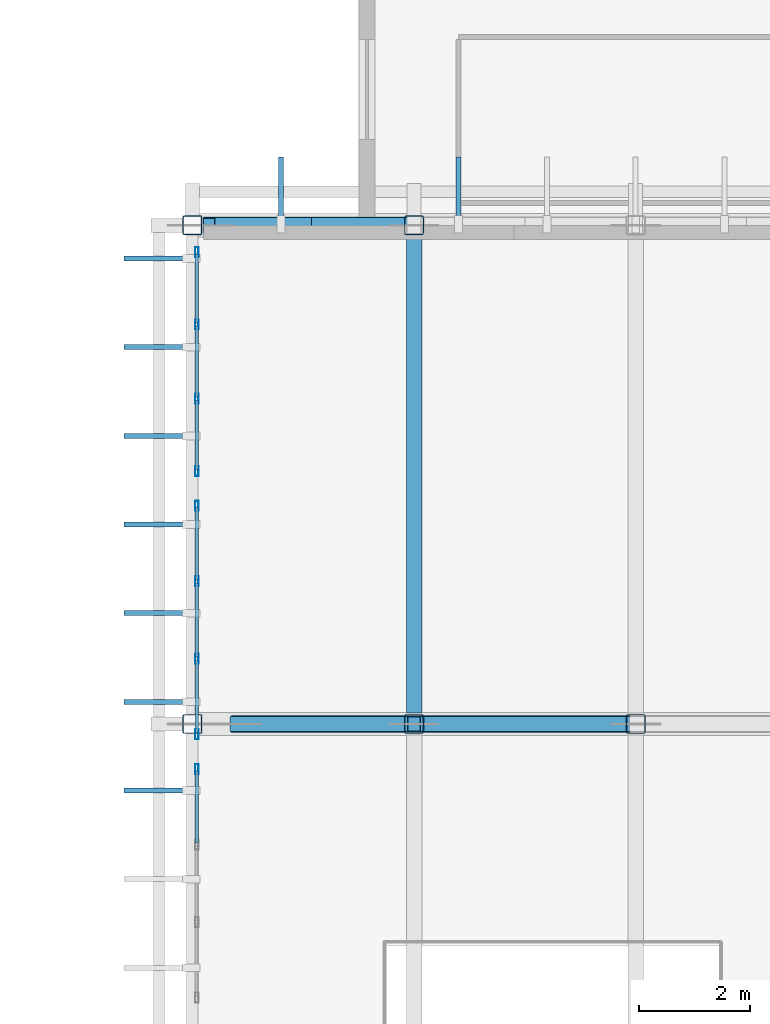
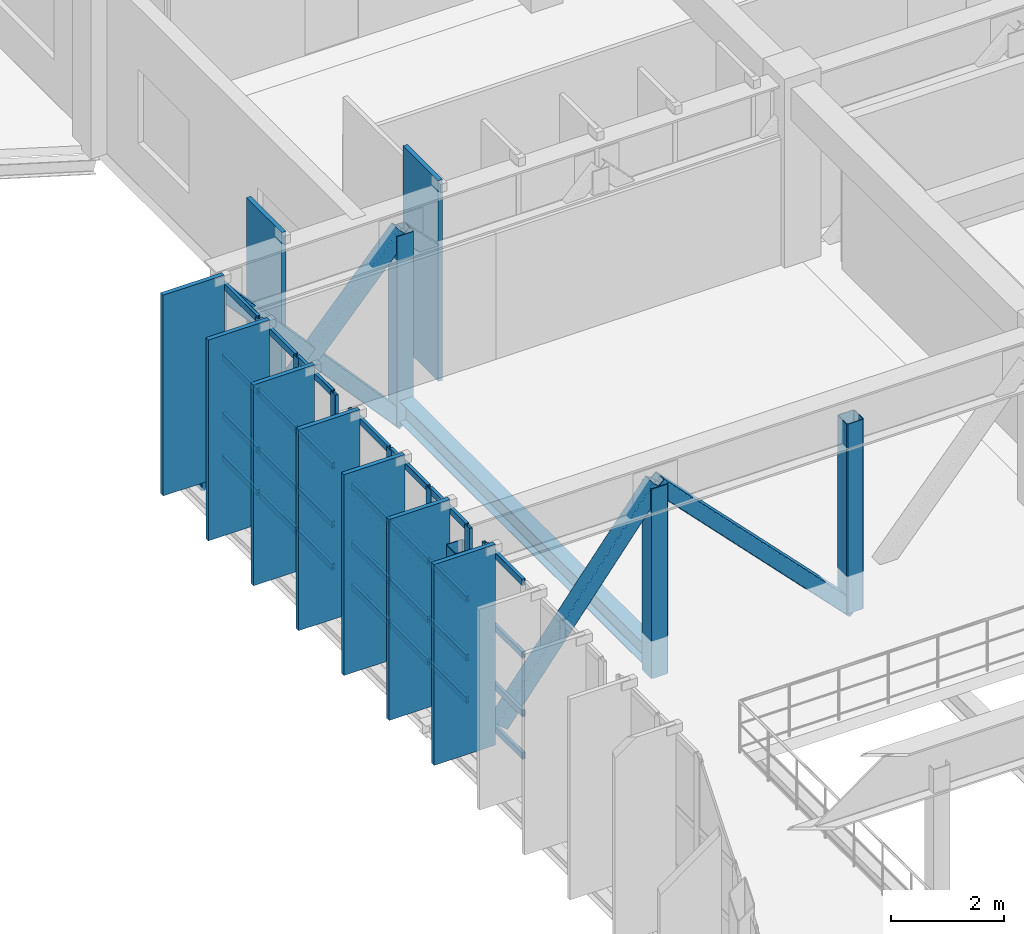
# One storey, part 47 of 130: 55 members, 1 beam, 3 elements without a shape of their own.
"""IFC4 building model written with IfcOpenShell, lengths in metres."""

from ifc_helpers import new_model, si_unit, direction, frame, origin, origin_2d, place, context, subcontext, project, spatial, rectangle, hollow_rectangle, i_section, extrude, material, material_profile, profile_set, type_object, element, aggregate, save


model = new_model("IFC4")

# Units and contexts
model_context = context("Model", 3, precision=1e-05, world=origin(), true_north=direction((0.0, 1.0)))
body_context = subcontext(model_context, "Body", "Model", "MODEL_VIEW")
ifc_project = project(units=[si_unit("LENGTHUNIT", "METRE"), si_unit("AREAUNIT", "SQUARE_METRE"), si_unit("VOLUMEUNIT", "CUBIC_METRE"), si_unit("PLANEANGLEUNIT", "RADIAN"), si_unit("MASSUNIT", "GRAM", prefix="KILO")], contexts=[model_context])

# Site, building, storey
site_placement = place(None, origin())
site = spatial("IfcSite", under=ifc_project, at=site_placement, CompositionType="ELEMENT")
building_placement = place(site_placement, origin())
building = spatial("IfcBuilding", under=site, at=building_placement, Name="Miravela Opera House", CompositionType="ELEMENT")
storey_placement = place(building_placement, frame((0.0, 0.0, 9.52001953125)))
storey = spatial("IfcBuildingStorey", under=building, at=storey_placement, Name="L02", CompositionType="ELEMENT", Elevation=9.52001953125)

# Curtain wall, member
ifc_material_1 = material(Name="Anodised architectural bronze aluminium 6063-T6", Category="aluminium")
curtain_wall_type = type_object("IfcCurtainWallType", Name="ARC-CW-02", PredefinedType="NOTDEFINED", material=ifc_material_1)
curtain_wall_1_placement = place(storey_placement, origin())
curtain_wall_1 = element("IfcCurtainWall", 1, at=curtain_wall_1_placement, inside=storey, type_object=curtain_wall_type, Name="Cantilever West Wrapper Glazing B6 CW-L02-012", PredefinedType="NOTDEFINED")
ifc_material_profile_1 = material_profile(ifc_material_1, hollow_rectangle(XDim=0.06494140625, YDim=0.179931640625, WallThickness=0.00390625, InnerFilletRadius=0.001953125, OuterFilletRadius=0.00390625, at=origin_2d()), Name="CWM-65X180")
ifc_profile_set_1 = profile_set([ifc_material_profile_1])
member_type_1 = type_object("IfcMemberType", Name="ARC-CWM-180", PredefinedType="MULLION", material=ifc_profile_set_1)
member_1_placement = place(storey_placement, frame((15.080078125, 65.1875, 0.0), z_axis=(0.0, 0.0, 1.0), x_axis=(-1.0, 0.0, 0.0)))
member_1 = element("IfcMember", 2, at=member_1_placement, type_object=member_type_1, Name="CW-02 mullion 4", PredefinedType="MULLION", context=body_context, shape_type="SweptSolid", body=[
    extrude(hollow_rectangle(XDim=0.06494140625, YDim=0.179931640625, WallThickness=0.00390625, InnerFilletRadius=0.001953125, OuterFilletRadius=0.00390625, at=origin_2d()), origin(), (0.0, 0.0, 1.0), 3.820068359375),
])

# Curtain wall, members
curtain_wall_2_placement = place(storey_placement, origin())
curtain_wall_2 = element("IfcCurtainWall", 3, at=curtain_wall_2_placement, inside=storey, type_object=curtain_wall_type, Name="Cantilever West Wrapper Glazing B7 CW-L02-013", PredefinedType="NOTDEFINED")
member_2_placement = place(storey_placement, frame((15.080078125, 65.8125, 0.0), z_axis=(0.0, 0.0, 1.0), x_axis=(-1.0, 0.0, 0.0)))
member_2 = element("IfcMember", 4, at=member_2_placement, type_object=member_type_1, Name="CW-02 mullion 1", PredefinedType="MULLION", context=body_context, shape_type="SweptSolid", body=[
    extrude(hollow_rectangle(XDim=0.06494140625, YDim=0.179931640625, WallThickness=0.00390625, InnerFilletRadius=0.001953125, OuterFilletRadius=0.00390625, at=origin_2d()), origin(), (0.0, 0.0, 1.0), 3.820068359375),
])
member_3_placement = place(storey_placement, frame((15.080078125, 67.1767578125, 0.0), z_axis=(0.0, 0.0, 1.0), x_axis=(-1.0, 0.0, 0.0)))
member_3 = element("IfcMember", 5, at=member_3_placement, type_object=member_type_1, Name="CW-02 mullion 2", PredefinedType="MULLION", context=body_context, shape_type="SweptSolid", body=[
    extrude(hollow_rectangle(XDim=0.06494140625, YDim=0.179931640625, WallThickness=0.00390625, InnerFilletRadius=0.001953125, OuterFilletRadius=0.00390625, at=origin_2d()), origin(), (0.0, 0.0, 1.0), 3.820068359375),
])
member_4_placement = place(storey_placement, frame((15.080078125, 68.5732421875, 0.0), z_axis=(0.0, 0.0, 1.0), x_axis=(-1.0, 0.0, 0.0)))
member_4 = element("IfcMember", 6, at=member_4_placement, type_object=member_type_1, Name="CW-02 mullion 3", PredefinedType="MULLION", context=body_context, shape_type="SweptSolid", body=[
    extrude(hollow_rectangle(XDim=0.06494140625, YDim=0.179931640625, WallThickness=0.00390625, InnerFilletRadius=0.001953125, OuterFilletRadius=0.00390625, at=origin_2d()), origin(), (0.0, 0.0, 1.0), 3.820068359375),
])
member_5_placement = place(storey_placement, frame((15.080078125, 69.9375, 0.0), z_axis=(0.0, 0.0, 1.0), x_axis=(-1.0, 0.0, 0.0)))
member_5 = element("IfcMember", 7, at=member_5_placement, type_object=member_type_1, Name="CW-02 mullion 4", PredefinedType="MULLION", context=body_context, shape_type="SweptSolid", body=[
    extrude(hollow_rectangle(XDim=0.06494140625, YDim=0.179931640625, WallThickness=0.00390625, InnerFilletRadius=0.001953125, OuterFilletRadius=0.00390625, at=origin_2d()), origin(), (0.0, 0.0, 1.0), 3.820068359375),
])

curtain_wall_3_placement = place(storey_placement, origin())
curtain_wall_3 = element("IfcCurtainWall", 8, at=curtain_wall_3_placement, inside=storey, type_object=curtain_wall_type, Name="Cantilever West Wrapper Glazing B8 CW-L02-014", PredefinedType="NOTDEFINED")
member_6_placement = place(storey_placement, frame((15.080078125, 70.5625, 0.0), z_axis=(0.0, 0.0, 1.0), x_axis=(-1.0, 0.0, 0.0)))
member_6 = element("IfcMember", 9, at=member_6_placement, type_object=member_type_1, Name="CW-02 mullion 1", PredefinedType="MULLION", context=body_context, shape_type="SweptSolid", body=[
    extrude(hollow_rectangle(XDim=0.06494140625, YDim=0.179931640625, WallThickness=0.00390625, InnerFilletRadius=0.001953125, OuterFilletRadius=0.00390625, at=origin_2d()), origin(), (0.0, 0.0, 1.0), 3.820068359375),
])
member_7_placement = place(storey_placement, frame((15.080078125, 71.8701171875, 0.0), z_axis=(0.0, 0.0, 1.0), x_axis=(-1.0, 0.0, 0.0)))
member_7 = element("IfcMember", 10, at=member_7_placement, type_object=member_type_1, Name="CW-02 mullion 2", PredefinedType="MULLION", context=body_context, shape_type="SweptSolid", body=[
    extrude(hollow_rectangle(XDim=0.06494140625, YDim=0.179931640625, WallThickness=0.00390625, InnerFilletRadius=0.001953125, OuterFilletRadius=0.00390625, at=origin_2d()), origin(), (0.0, 0.0, 1.0), 3.820068359375),
])
member_8_placement = place(storey_placement, frame((15.080078125, 73.2099609375, 0.0), z_axis=(0.0, 0.0, 1.0), x_axis=(-1.0, 0.0, 0.0)))
member_8 = element("IfcMember", 11, at=member_8_placement, type_object=member_type_1, Name="CW-02 mullion 3", PredefinedType="MULLION", context=body_context, shape_type="SweptSolid", body=[
    extrude(hollow_rectangle(XDim=0.06494140625, YDim=0.179931640625, WallThickness=0.00390625, InnerFilletRadius=0.001953125, OuterFilletRadius=0.00390625, at=origin_2d()), origin(), (0.0, 0.0, 1.0), 3.820068359375),
])
member_9_placement = place(storey_placement, frame((15.080078125, 74.517578125, 0.0), z_axis=(0.0, 0.0, 1.0), x_axis=(-1.0, 0.0, 0.0)))
member_9 = element("IfcMember", 12, at=member_9_placement, type_object=member_type_1, Name="CW-02 mullion 4", PredefinedType="MULLION", context=body_context, shape_type="SweptSolid", body=[
    extrude(hollow_rectangle(XDim=0.06494140625, YDim=0.179931640625, WallThickness=0.00390625, InnerFilletRadius=0.001953125, OuterFilletRadius=0.00390625, at=origin_2d()), origin(), (0.0, 0.0, 1.0), 3.820068359375),
])

# Member
ifc_material_profile_2 = material_profile(ifc_material_1, hollow_rectangle(XDim=0.06494140625, YDim=0.139892578125, WallThickness=0.00390625, InnerFilletRadius=0.001953125, OuterFilletRadius=0.00390625, at=origin_2d()), Name="CWT-65X140")
ifc_profile_set_2 = profile_set([ifc_material_profile_2])
member_type_2 = type_object("IfcMemberType", Name="ARC-CWT-140", PredefinedType="USERDEFINED", material=ifc_profile_set_2)
member_10_placement = place(storey_placement, frame((15.080078125, 63.855712890625, 0.032470703125), z_axis=(0.0, 1.0, 0.0), x_axis=(-1.0, 0.0, 0.0)))
member_10 = element("IfcMember", 13, at=member_10_placement, type_object=member_type_2, Name="CW-02 transom 3.1", ObjectType="TRANSOM", PredefinedType="USERDEFINED", context=body_context, shape_type="SweptSolid", body=[
    extrude(hollow_rectangle(XDim=0.06494140625, YDim=0.139892578125, WallThickness=0.00390625, InnerFilletRadius=0.001953125, OuterFilletRadius=0.00390625, at=origin_2d()), origin(), (0.0, 0.0, 1.0), 1.29931640625),
])

member_11_placement = place(storey_placement, frame((15.080078125, 63.855712890625, 0.949951171875), z_axis=(0.0, 1.0, 0.0), x_axis=(-1.0, 0.0, 0.0)))
member_11 = element("IfcMember", 14, at=member_11_placement, type_object=member_type_2, Name="CW-02 transom 3.2", ObjectType="TRANSOM", PredefinedType="USERDEFINED", context=body_context, shape_type="SweptSolid", body=[
    extrude(hollow_rectangle(XDim=0.06494140625, YDim=0.139892578125, WallThickness=0.00390625, InnerFilletRadius=0.001953125, OuterFilletRadius=0.00390625, at=origin_2d()), origin(), (0.0, 0.0, 1.0), 1.29931640625),
])

member_12_placement = place(storey_placement, frame((15.080078125, 63.855712890625, 2.215576171875), z_axis=(0.0, 1.0, 0.0), x_axis=(-1.0, 0.0, 0.0)))
member_12 = element("IfcMember", 15, at=member_12_placement, type_object=member_type_2, Name="CW-02 transom 3.3", ObjectType="TRANSOM", PredefinedType="USERDEFINED", context=body_context, shape_type="SweptSolid", body=[
    extrude(hollow_rectangle(XDim=0.06494140625, YDim=0.139892578125, WallThickness=0.00390625, InnerFilletRadius=0.001953125, OuterFilletRadius=0.00390625, at=origin_2d()), origin(), (0.0, 0.0, 1.0), 1.29931640625),
])

member_13_placement = place(storey_placement, frame((15.080078125, 63.855712890625, 3.78759765625), z_axis=(0.0, 1.0, 0.0), x_axis=(-1.0, 0.0, 0.0)))
member_13 = element("IfcMember", 16, at=member_13_placement, type_object=member_type_2, Name="CW-02 transom 3.4", ObjectType="TRANSOM", PredefinedType="USERDEFINED", context=body_context, shape_type="SweptSolid", body=[
    extrude(hollow_rectangle(XDim=0.06494140625, YDim=0.139892578125, WallThickness=0.00390625, InnerFilletRadius=0.001953125, OuterFilletRadius=0.00390625, at=origin_2d()), origin(), (0.0, 0.0, 1.0), 1.29931640625),
])

aggregate(curtain_wall_1, [member_1, member_10, member_11, member_12, member_13])

member_14_placement = place(storey_placement, frame((15.080078125, 65.844970703125, 0.032470703125), z_axis=(0.0, 1.0, 0.0), x_axis=(-1.0, 0.0, 0.0)))
member_14 = element("IfcMember", 17, at=member_14_placement, type_object=member_type_2, Name="CW-02 transom 1.1", ObjectType="TRANSOM", PredefinedType="USERDEFINED", context=body_context, shape_type="SweptSolid", body=[
    extrude(hollow_rectangle(XDim=0.06494140625, YDim=0.139892578125, WallThickness=0.00390625, InnerFilletRadius=0.001953125, OuterFilletRadius=0.00390625, at=origin_2d()), origin(), (0.0, 0.0, 1.0), 1.29931640625),
])

member_15_placement = place(storey_placement, frame((15.080078125, 65.844970703125, 0.949951171875), z_axis=(0.0, 1.0, 0.0), x_axis=(-1.0, 0.0, 0.0)))
member_15 = element("IfcMember", 18, at=member_15_placement, type_object=member_type_2, Name="CW-02 transom 1.2", ObjectType="TRANSOM", PredefinedType="USERDEFINED", context=body_context, shape_type="SweptSolid", body=[
    extrude(hollow_rectangle(XDim=0.06494140625, YDim=0.139892578125, WallThickness=0.00390625, InnerFilletRadius=0.001953125, OuterFilletRadius=0.00390625, at=origin_2d()), origin(), (0.0, 0.0, 1.0), 1.29931640625),
])

member_16_placement = place(storey_placement, frame((15.080078125, 65.844970703125, 2.215576171875), z_axis=(0.0, 1.0, 0.0), x_axis=(-1.0, 0.0, 0.0)))
member_16 = element("IfcMember", 19, at=member_16_placement, type_object=member_type_2, Name="CW-02 transom 1.3", ObjectType="TRANSOM", PredefinedType="USERDEFINED", context=body_context, shape_type="SweptSolid", body=[
    extrude(hollow_rectangle(XDim=0.06494140625, YDim=0.139892578125, WallThickness=0.00390625, InnerFilletRadius=0.001953125, OuterFilletRadius=0.00390625, at=origin_2d()), origin(), (0.0, 0.0, 1.0), 1.29931640625),
])

member_17_placement = place(storey_placement, frame((15.080078125, 65.844970703125, 3.78759765625), z_axis=(0.0, 1.0, 0.0), x_axis=(-1.0, 0.0, 0.0)))
member_17 = element("IfcMember", 20, at=member_17_placement, type_object=member_type_2, Name="CW-02 transom 1.4", ObjectType="TRANSOM", PredefinedType="USERDEFINED", context=body_context, shape_type="SweptSolid", body=[
    extrude(hollow_rectangle(XDim=0.06494140625, YDim=0.139892578125, WallThickness=0.00390625, InnerFilletRadius=0.001953125, OuterFilletRadius=0.00390625, at=origin_2d()), origin(), (0.0, 0.0, 1.0), 1.29931640625),
])

member_18_placement = place(storey_placement, frame((15.080078125, 67.209228515625, 0.032470703125), z_axis=(0.0, 1.0, 0.0), x_axis=(-1.0, 0.0, 0.0)))
member_18 = element("IfcMember", 21, at=member_18_placement, type_object=member_type_2, Name="CW-02 transom 2.1", ObjectType="TRANSOM", PredefinedType="USERDEFINED", context=body_context, shape_type="SweptSolid", body=[
    extrude(hollow_rectangle(XDim=0.06494140625, YDim=0.139892578125, WallThickness=0.00390625, InnerFilletRadius=0.001953125, OuterFilletRadius=0.00390625, at=origin_2d()), origin(), (0.0, 0.0, 1.0), 1.33154296875),
])

member_19_placement = place(storey_placement, frame((15.080078125, 67.209228515625, 0.949951171875), z_axis=(0.0, 1.0, 0.0), x_axis=(-1.0, 0.0, 0.0)))
member_19 = element("IfcMember", 22, at=member_19_placement, type_object=member_type_2, Name="CW-02 transom 2.2", ObjectType="TRANSOM", PredefinedType="USERDEFINED", context=body_context, shape_type="SweptSolid", body=[
    extrude(hollow_rectangle(XDim=0.06494140625, YDim=0.139892578125, WallThickness=0.00390625, InnerFilletRadius=0.001953125, OuterFilletRadius=0.00390625, at=origin_2d()), origin(), (0.0, 0.0, 1.0), 1.33154296875),
])

member_20_placement = place(storey_placement, frame((15.080078125, 67.209228515625, 2.215576171875), z_axis=(0.0, 1.0, 0.0), x_axis=(-1.0, 0.0, 0.0)))
member_20 = element("IfcMember", 23, at=member_20_placement, type_object=member_type_2, Name="CW-02 transom 2.3", ObjectType="TRANSOM", PredefinedType="USERDEFINED", context=body_context, shape_type="SweptSolid", body=[
    extrude(hollow_rectangle(XDim=0.06494140625, YDim=0.139892578125, WallThickness=0.00390625, InnerFilletRadius=0.001953125, OuterFilletRadius=0.00390625, at=origin_2d()), origin(), (0.0, 0.0, 1.0), 1.33154296875),
])

member_21_placement = place(storey_placement, frame((15.080078125, 67.209228515625, 3.78759765625), z_axis=(0.0, 1.0, 0.0), x_axis=(-1.0, 0.0, 0.0)))
member_21 = element("IfcMember", 24, at=member_21_placement, type_object=member_type_2, Name="CW-02 transom 2.4", ObjectType="TRANSOM", PredefinedType="USERDEFINED", context=body_context, shape_type="SweptSolid", body=[
    extrude(hollow_rectangle(XDim=0.06494140625, YDim=0.139892578125, WallThickness=0.00390625, InnerFilletRadius=0.001953125, OuterFilletRadius=0.00390625, at=origin_2d()), origin(), (0.0, 0.0, 1.0), 1.33154296875),
])

member_22_placement = place(storey_placement, frame((15.080078125, 68.605712890625, 0.032470703125), z_axis=(0.0, 1.0, 0.0), x_axis=(-1.0, 0.0, 0.0)))
member_22 = element("IfcMember", 25, at=member_22_placement, type_object=member_type_2, Name="CW-02 transom 3.1", ObjectType="TRANSOM", PredefinedType="USERDEFINED", context=body_context, shape_type="SweptSolid", body=[
    extrude(hollow_rectangle(XDim=0.06494140625, YDim=0.139892578125, WallThickness=0.00390625, InnerFilletRadius=0.001953125, OuterFilletRadius=0.00390625, at=origin_2d()), origin(), (0.0, 0.0, 1.0), 1.29931640625),
])

member_23_placement = place(storey_placement, frame((15.080078125, 68.605712890625, 0.949951171875), z_axis=(0.0, 1.0, 0.0), x_axis=(-1.0, 0.0, 0.0)))
member_23 = element("IfcMember", 26, at=member_23_placement, type_object=member_type_2, Name="CW-02 transom 3.2", ObjectType="TRANSOM", PredefinedType="USERDEFINED", context=body_context, shape_type="SweptSolid", body=[
    extrude(hollow_rectangle(XDim=0.06494140625, YDim=0.139892578125, WallThickness=0.00390625, InnerFilletRadius=0.001953125, OuterFilletRadius=0.00390625, at=origin_2d()), origin(), (0.0, 0.0, 1.0), 1.29931640625),
])

member_24_placement = place(storey_placement, frame((15.080078125, 68.605712890625, 2.215576171875), z_axis=(0.0, 1.0, 0.0), x_axis=(-1.0, 0.0, 0.0)))
member_24 = element("IfcMember", 27, at=member_24_placement, type_object=member_type_2, Name="CW-02 transom 3.3", ObjectType="TRANSOM", PredefinedType="USERDEFINED", context=body_context, shape_type="SweptSolid", body=[
    extrude(hollow_rectangle(XDim=0.06494140625, YDim=0.139892578125, WallThickness=0.00390625, InnerFilletRadius=0.001953125, OuterFilletRadius=0.00390625, at=origin_2d()), origin(), (0.0, 0.0, 1.0), 1.29931640625),
])

member_25_placement = place(storey_placement, frame((15.080078125, 68.605712890625, 3.78759765625), z_axis=(0.0, 1.0, 0.0), x_axis=(-1.0, 0.0, 0.0)))
member_25 = element("IfcMember", 28, at=member_25_placement, type_object=member_type_2, Name="CW-02 transom 3.4", ObjectType="TRANSOM", PredefinedType="USERDEFINED", context=body_context, shape_type="SweptSolid", body=[
    extrude(hollow_rectangle(XDim=0.06494140625, YDim=0.139892578125, WallThickness=0.00390625, InnerFilletRadius=0.001953125, OuterFilletRadius=0.00390625, at=origin_2d()), origin(), (0.0, 0.0, 1.0), 1.29931640625),
])

aggregate(curtain_wall_2, [member_2, member_3, member_4, member_5, member_14, member_15, member_16, member_17, member_18, member_19, member_20, member_21, member_22, member_23, member_24, member_25])

member_26_placement = place(storey_placement, frame((15.080078125, 70.594970703125, 0.032470703125), z_axis=(0.0, 1.0, 0.0), x_axis=(-1.0, 0.0, 0.0)))
member_26 = element("IfcMember", 29, at=member_26_placement, type_object=member_type_2, Name="CW-02 transom 1.1", ObjectType="TRANSOM", PredefinedType="USERDEFINED", context=body_context, shape_type="SweptSolid", body=[
    extrude(hollow_rectangle(XDim=0.06494140625, YDim=0.139892578125, WallThickness=0.00390625, InnerFilletRadius=0.001953125, OuterFilletRadius=0.00390625, at=origin_2d()), origin(), (0.0, 0.0, 1.0), 1.242431640625),
])

member_27_placement = place(storey_placement, frame((15.080078125, 70.594970703125, 0.949951171875), z_axis=(0.0, 1.0, 0.0), x_axis=(-1.0, 0.0, 0.0)))
member_27 = element("IfcMember", 30, at=member_27_placement, type_object=member_type_2, Name="CW-02 transom 1.2", ObjectType="TRANSOM", PredefinedType="USERDEFINED", context=body_context, shape_type="SweptSolid", body=[
    extrude(hollow_rectangle(XDim=0.06494140625, YDim=0.139892578125, WallThickness=0.00390625, InnerFilletRadius=0.001953125, OuterFilletRadius=0.00390625, at=origin_2d()), origin(), (0.0, 0.0, 1.0), 1.242431640625),
])

member_28_placement = place(storey_placement, frame((15.080078125, 70.594970703125, 2.215576171875), z_axis=(0.0, 1.0, 0.0), x_axis=(-1.0, 0.0, 0.0)))
member_28 = element("IfcMember", 31, at=member_28_placement, type_object=member_type_2, Name="CW-02 transom 1.3", ObjectType="TRANSOM", PredefinedType="USERDEFINED", context=body_context, shape_type="SweptSolid", body=[
    extrude(hollow_rectangle(XDim=0.06494140625, YDim=0.139892578125, WallThickness=0.00390625, InnerFilletRadius=0.001953125, OuterFilletRadius=0.00390625, at=origin_2d()), origin(), (0.0, 0.0, 1.0), 1.242431640625),
])

member_29_placement = place(storey_placement, frame((15.080078125, 70.594970703125, 3.78759765625), z_axis=(0.0, 1.0, 0.0), x_axis=(-1.0, 0.0, 0.0)))
member_29 = element("IfcMember", 32, at=member_29_placement, type_object=member_type_2, Name="CW-02 transom 1.4", ObjectType="TRANSOM", PredefinedType="USERDEFINED", context=body_context, shape_type="SweptSolid", body=[
    extrude(hollow_rectangle(XDim=0.06494140625, YDim=0.139892578125, WallThickness=0.00390625, InnerFilletRadius=0.001953125, OuterFilletRadius=0.00390625, at=origin_2d()), origin(), (0.0, 0.0, 1.0), 1.242431640625),
])

member_30_placement = place(storey_placement, frame((15.080078125, 71.902587890625, 0.032470703125), z_axis=(0.0, 1.0, 0.0), x_axis=(-1.0, 0.0, 0.0)))
member_30 = element("IfcMember", 33, at=member_30_placement, type_object=member_type_2, Name="CW-02 transom 2.1", ObjectType="TRANSOM", PredefinedType="USERDEFINED", context=body_context, shape_type="SweptSolid", body=[
    extrude(hollow_rectangle(XDim=0.06494140625, YDim=0.139892578125, WallThickness=0.00390625, InnerFilletRadius=0.001953125, OuterFilletRadius=0.00390625, at=origin_2d()), origin(), (0.0, 0.0, 1.0), 1.27490234375),
])

member_31_placement = place(storey_placement, frame((15.080078125, 71.902587890625, 0.949951171875), z_axis=(0.0, 1.0, 0.0), x_axis=(-1.0, 0.0, 0.0)))
member_31 = element("IfcMember", 34, at=member_31_placement, type_object=member_type_2, Name="CW-02 transom 2.2", ObjectType="TRANSOM", PredefinedType="USERDEFINED", context=body_context, shape_type="SweptSolid", body=[
    extrude(hollow_rectangle(XDim=0.06494140625, YDim=0.139892578125, WallThickness=0.00390625, InnerFilletRadius=0.001953125, OuterFilletRadius=0.00390625, at=origin_2d()), origin(), (0.0, 0.0, 1.0), 1.27490234375),
])

member_32_placement = place(storey_placement, frame((15.080078125, 71.902587890625, 2.215576171875), z_axis=(0.0, 1.0, 0.0), x_axis=(-1.0, 0.0, 0.0)))
member_32 = element("IfcMember", 35, at=member_32_placement, type_object=member_type_2, Name="CW-02 transom 2.3", ObjectType="TRANSOM", PredefinedType="USERDEFINED", context=body_context, shape_type="SweptSolid", body=[
    extrude(hollow_rectangle(XDim=0.06494140625, YDim=0.139892578125, WallThickness=0.00390625, InnerFilletRadius=0.001953125, OuterFilletRadius=0.00390625, at=origin_2d()), origin(), (0.0, 0.0, 1.0), 1.27490234375),
])

member_33_placement = place(storey_placement, frame((15.080078125, 71.902587890625, 3.78759765625), z_axis=(0.0, 1.0, 0.0), x_axis=(-1.0, 0.0, 0.0)))
member_33 = element("IfcMember", 36, at=member_33_placement, type_object=member_type_2, Name="CW-02 transom 2.4", ObjectType="TRANSOM", PredefinedType="USERDEFINED", context=body_context, shape_type="SweptSolid", body=[
    extrude(hollow_rectangle(XDim=0.06494140625, YDim=0.139892578125, WallThickness=0.00390625, InnerFilletRadius=0.001953125, OuterFilletRadius=0.00390625, at=origin_2d()), origin(), (0.0, 0.0, 1.0), 1.27490234375),
])

member_34_placement = place(storey_placement, frame((15.080078125, 73.242431640625, 0.032470703125), z_axis=(0.0, 1.0, 0.0), x_axis=(-1.0, 0.0, 0.0)))
member_34 = element("IfcMember", 37, at=member_34_placement, type_object=member_type_2, Name="CW-02 transom 3.1", ObjectType="TRANSOM", PredefinedType="USERDEFINED", context=body_context, shape_type="SweptSolid", body=[
    extrude(hollow_rectangle(XDim=0.06494140625, YDim=0.139892578125, WallThickness=0.00390625, InnerFilletRadius=0.001953125, OuterFilletRadius=0.00390625, at=origin_2d()), origin(), (0.0, 0.0, 1.0), 1.24267578125),
])

member_35_placement = place(storey_placement, frame((15.080078125, 73.242431640625, 0.949951171875), z_axis=(0.0, 1.0, 0.0), x_axis=(-1.0, 0.0, 0.0)))
member_35 = element("IfcMember", 38, at=member_35_placement, type_object=member_type_2, Name="CW-02 transom 3.2", ObjectType="TRANSOM", PredefinedType="USERDEFINED", context=body_context, shape_type="SweptSolid", body=[
    extrude(hollow_rectangle(XDim=0.06494140625, YDim=0.139892578125, WallThickness=0.00390625, InnerFilletRadius=0.001953125, OuterFilletRadius=0.00390625, at=origin_2d()), origin(), (0.0, 0.0, 1.0), 1.24267578125),
])

member_36_placement = place(storey_placement, frame((15.080078125, 73.242431640625, 2.215576171875), z_axis=(0.0, 1.0, 0.0), x_axis=(-1.0, 0.0, 0.0)))
member_36 = element("IfcMember", 39, at=member_36_placement, type_object=member_type_2, Name="CW-02 transom 3.3", ObjectType="TRANSOM", PredefinedType="USERDEFINED", context=body_context, shape_type="SweptSolid", body=[
    extrude(hollow_rectangle(XDim=0.06494140625, YDim=0.139892578125, WallThickness=0.00390625, InnerFilletRadius=0.001953125, OuterFilletRadius=0.00390625, at=origin_2d()), origin(), (0.0, 0.0, 1.0), 1.24267578125),
])

member_37_placement = place(storey_placement, frame((15.080078125, 73.242431640625, 3.78759765625), z_axis=(0.0, 1.0, 0.0), x_axis=(-1.0, 0.0, 0.0)))
member_37 = element("IfcMember", 40, at=member_37_placement, type_object=member_type_2, Name="CW-02 transom 3.4", ObjectType="TRANSOM", PredefinedType="USERDEFINED", context=body_context, shape_type="SweptSolid", body=[
    extrude(hollow_rectangle(XDim=0.06494140625, YDim=0.139892578125, WallThickness=0.00390625, InnerFilletRadius=0.001953125, OuterFilletRadius=0.00390625, at=origin_2d()), origin(), (0.0, 0.0, 1.0), 1.24267578125),
])

aggregate(curtain_wall_3, [member_6, member_7, member_8, member_9, member_26, member_27, member_28, member_29, member_30, member_31, member_32, member_33, member_34, member_35, member_36, member_37])

# Members
ifc_material_profile_3 = material_profile(ifc_material_1, rectangle(XDim=0.090087890625, YDim=1.25, at=origin_2d()), Name="FIN-1250X90")
ifc_profile_set_3 = profile_set([ifc_material_profile_3])
member_type_3 = type_object("IfcMemberType", Name="ARC-FIN-1250", PredefinedType="USERDEFINED", material=ifc_profile_set_3)
for number, where, z_axis, x_axis, name in (
    (41, (14.39501953125, 64.800048828125, -0.260009765625), (0.0, 0.0, 1.0), (0.0, 1.0, 0.0), "Auditorium Wrapper Bronze Solar Fin FIN-L02-WEST-0018"),
    (42, (14.39501953125, 66.39990234375, -0.260009765625), (0.0, 0.0, 1.0), (0.0, 1.0, 0.0), "Auditorium Wrapper Bronze Solar Fin FIN-L02-WEST-0019"),
    (43, (14.39501953125, 68.0, -0.260009765625), (0.0, 0.0, 1.0), (0.0, 1.0, 0.0), "Auditorium Wrapper Bronze Solar Fin FIN-L02-WEST-0020"),
    (44, (14.39501953125, 69.60009765625, -0.260009765625), (0.0, 0.0, 1.0), (0.0, 1.0, 0.0), "Auditorium Wrapper Bronze Solar Fin FIN-L02-WEST-0021"),
    (45, (14.39501953125, 71.199951171875, -0.260009765625), (0.0, 0.0, 1.0), (0.0, 1.0, 0.0), "Auditorium Wrapper Bronze Solar Fin FIN-L02-WEST-0022"),
    (46, (14.39501953125, 72.800048828125, -0.260009765625), (0.0, 0.0, 1.0), (0.0, 1.0, 0.0), "Auditorium Wrapper Bronze Solar Fin FIN-L02-WEST-0023"),
    (47, (14.39501953125, 74.39990234375, -0.260009765625), (0.0, 0.0, 1.0), (0.0, 1.0, 0.0), "Auditorium Wrapper Bronze Solar Fin FIN-L02-WEST-0024"),
    (48, (16.60009765625, 75.60498046875, -0.260009765625), (0.0, 0.0, 1.0), (1.0, 0.0, 0.0), "Auditorium Wrapper Bronze Solar Fin FIN-L02-NORTH-0025"),
    (49, (19.800048828125, 75.60498046875, -0.260009765625), (0.0, 0.0, 1.0), (1.0, 0.0, 0.0), "Auditorium Wrapper Bronze Solar Fin FIN-L02-NORTH-0027"),
):
    element("IfcMember", number, at=place(storey_placement, frame(where, z_axis=z_axis, x_axis=x_axis)), inside=storey, type_object=member_type_3, Name=name, ObjectType="FIN", PredefinedType="USERDEFINED", context=body_context, shape_type="SweptSolid", body=[
        extrude(rectangle(XDim=0.090087890625, YDim=1.25, at=origin_2d()), origin(), (0.0, 0.0, 1.0), 4.340087890625),
    ])

# Beam
ifc_material_2 = material(Name="Structural steel ASTM A992 Gr. 50", Category="steel")
ifc_material_profile_4 = material_profile(ifc_material_2, i_section(OverallWidth=0.280029296875, OverallDepth=0.462890625, WebThickness=0.0107421875, FlangeThickness=0.017333984375, FilletRadius=0.014892578125, at=origin_2d()), Name="W460X113")
ifc_profile_set_4 = profile_set([ifc_material_profile_4])
beam_type = type_object("IfcBeamType", Name="STR-BM-W460X113", PredefinedType="BEAM", material=ifc_profile_set_4)
beam_placement = place(storey_placement, frame((19.0, 66.195068359375, -0.491455078125), z_axis=(0.0, 1.0, 0.0), x_axis=(-1.0, 0.0, 0.0)))
element("IfcBeam", 50, at=beam_placement, inside=storey, type_object=beam_type, Name="Cantilever Overhang Beam L02 X=19", PredefinedType="BEAM", context=body_context, shape_type="SweptSolid", body=[
    extrude(i_section(OverallWidth=0.280029296875, OverallDepth=0.462890625, WebThickness=0.0107421875, FlangeThickness=0.017333984375, FilletRadius=0.014892578125, at=origin_2d()), origin(), (0.0, 0.0, 1.0), 8.60986328125),
])

# Members
ifc_material_3 = material(Name="Hollow structural steel ASTM A500 Gr. C", Category="steel")
ifc_material_profile_5 = material_profile(ifc_material_3, hollow_rectangle(XDim=0.300048828125, YDim=0.300048828125, WallThickness=0.01611328125, InnerFilletRadius=0.01611328125, OuterFilletRadius=0.031982421875, at=origin_2d()), Name="HSS300X300X16")
ifc_profile_set_5 = profile_set([ifc_material_profile_5])
member_type_4 = type_object("IfcMemberType", Name="STR-MEM-CANT-DIAG", PredefinedType="BRACE", material=ifc_profile_set_5)
member_38_placement = place(storey_placement, frame((15.800048828125, 66.0, -0.81298828125), z_axis=(0.615278682057, 0.0, 0.788309674814), x_axis=(0.0, 1.0, 0.0)))
element("IfcMember", 51, at=member_38_placement, inside=storey, type_object=member_type_4, Name="Cantilever Truss CT-04 Overhang Web Diagonal 1", PredefinedType="BRACE", context=body_context, shape_type="SweptSolid", body=[
    extrude(hollow_rectangle(XDim=0.300048828125, YDim=0.300048828125, WallThickness=0.01611328125, InnerFilletRadius=0.01611328125, OuterFilletRadius=0.031982421875, at=origin_2d()), origin(), (0.0, 0.0, 1.0), 5.200927734375),
])
member_39_placement = place(storey_placement, frame((19.0, 66.0, 3.286865234375), z_axis=(0.698336634992, 0.0, -0.715769477016), x_axis=(0.0, 1.0, 0.0)))
element("IfcMember", 52, at=member_39_placement, inside=storey, type_object=member_type_4, Name="Cantilever Truss CT-04 Overhang Web Diagonal 2", PredefinedType="BRACE", context=body_context, shape_type="SweptSolid", body=[
    extrude(hollow_rectangle(XDim=0.300048828125, YDim=0.300048828125, WallThickness=0.01611328125, InnerFilletRadius=0.01611328125, OuterFilletRadius=0.031982421875, at=origin_2d()), origin(), (0.0, 0.0, 1.0), 5.727783203125),
])
for number, where, z_axis, x_axis, name in (
    (53, (15.300048828125, 75.0, -0.81298828125), (0.669972840481, 0.0, 0.742385609383), (0.0, 1.0, 0.0), "Cantilever Truss CT-05 Perimeter Web Diagonal 1A"),
    (54, (15.300048828125, 75.0, 3.286865234375), (0.669972840481, 0.0, -0.742385609383), (0.0, 1.0, 0.0), "Cantilever Truss CT-05 Perimeter Web Diagonal 1B"),
):
    element("IfcMember", number, at=place(storey_placement, frame(where, z_axis=z_axis, x_axis=x_axis)), inside=storey, type_object=member_type_4, Name=name, PredefinedType="BRACE", context=body_context, shape_type="SweptSolid", body=[
        extrude(hollow_rectangle(XDim=0.300048828125, YDim=0.300048828125, WallThickness=0.01611328125, InnerFilletRadius=0.01611328125, OuterFilletRadius=0.031982421875, at=origin_2d()), origin(), (0.0, 0.0, 1.0), 5.5224609375),
    ])
ifc_material_profile_6 = material_profile(ifc_material_3, hollow_rectangle(XDim=0.35009765625, YDim=0.35009765625, WallThickness=0.01611328125, InnerFilletRadius=0.01611328125, OuterFilletRadius=0.031982421875, at=origin_2d()), Name="HSS350X350X16")
ifc_profile_set_6 = profile_set([ifc_material_profile_6])
member_type_5 = type_object("IfcMemberType", Name="STR-MEM-CANT-POST", PredefinedType="POST", material=ifc_profile_set_6)
for number, where, z_axis, x_axis, name in (
    (55, (15.0, 66.0, -0.81298828125), (0.0, 0.0, 1.0), (1.0, 0.0, 0.0), "Cantilever Truss CT-04 Post X=15.0"),
    (56, (19.0, 66.0, -0.81298828125), (0.0, 0.0, 1.0), (1.0, 0.0, 0.0), "Cantilever Truss CT-04 Post X=19.0"),
    (57, (23.0, 66.0, -0.81298828125), (0.0, 0.0, 1.0), (1.0, 0.0, 0.0), "Cantilever Truss CT-04 Post X=23.0"),
    (58, (15.0, 75.0, -0.81298828125), (0.0, 0.0, 1.0), (1.0, 0.0, 0.0), "Cantilever Truss CT-05 Post X=15.0"),
    (59, (19.0, 75.0, -0.81298828125), (0.0, 0.0, 1.0), (1.0, 0.0, 0.0), "Cantilever Truss CT-05 Post X=19.0"),
):
    element("IfcMember", number, at=place(storey_placement, frame(where, z_axis=z_axis, x_axis=x_axis)), inside=storey, type_object=member_type_5, Name=name, PredefinedType="POST", context=body_context, shape_type="SweptSolid", body=[
        extrude(hollow_rectangle(XDim=0.35009765625, YDim=0.35009765625, WallThickness=0.01611328125, InnerFilletRadius=0.01611328125, OuterFilletRadius=0.031982421875, at=origin_2d()), origin(), (0.0, 0.0, 1.0), 4.099853515625),
    ])

save(model, "model.ifc")
